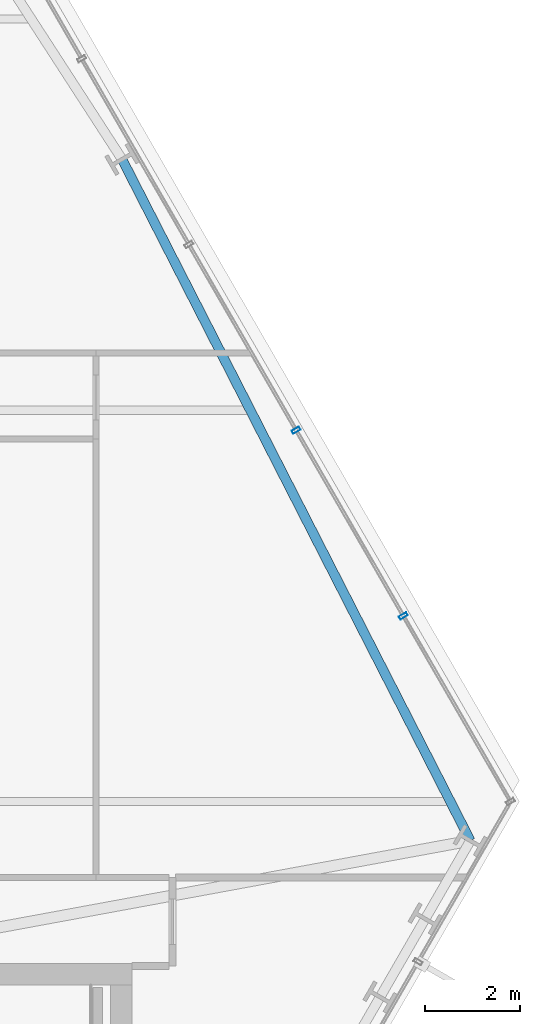
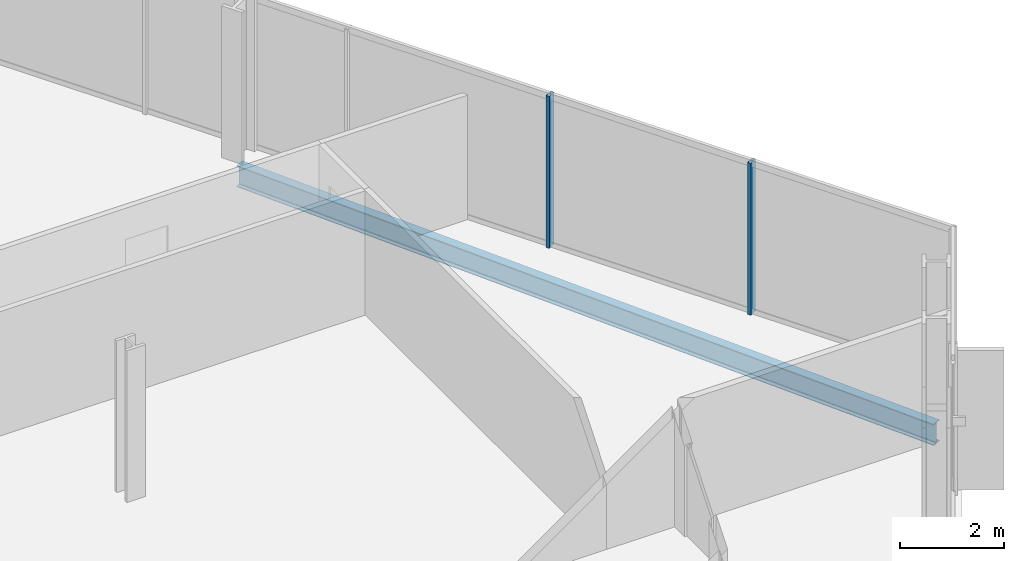
# One storey, part 18 of 32: 2 members, 1 beam, 1 element without a shape of its own.
"""IFC4 building model written with IfcOpenShell, lengths in metres."""

from ifc_helpers import new_model, si_unit, direction, frame, origin, origin_2d, place, context, subcontext, project, spatial, hollow_rectangle, i_section, extrude, material, layer, layer_set, material_profile, profile_set, type_object, element, aggregate, save


model = new_model("IFC4")

# Units and contexts
model_context = context("Model", 3, precision=1e-05, world=origin(), true_north=direction((0.0, 1.0)))
body_context = subcontext(model_context, "Body", "Model", "MODEL_VIEW")
ifc_project = project(units=[si_unit("LENGTHUNIT", "METRE"), si_unit("AREAUNIT", "SQUARE_METRE"), si_unit("VOLUMEUNIT", "CUBIC_METRE"), si_unit("PLANEANGLEUNIT", "RADIAN"), si_unit("MASSUNIT", "GRAM", prefix="KILO")], contexts=[model_context])

# Site, building, storey
site_placement = place(None, origin())
site = spatial("IfcSite", under=ifc_project, at=site_placement, CompositionType="ELEMENT")
building_placement = place(site_placement, origin())
building = spatial("IfcBuilding", under=site, at=building_placement, Name="Ndaravel Arena Tower", CompositionType="ELEMENT")
storey_placement = place(building_placement, frame((0.0, 0.0, 58.800048828125)))
storey = spatial("IfcBuildingStorey", under=building, at=storey_placement, Name="L12", CompositionType="ELEMENT", Elevation=58.800048828125)

# Beam
ifc_material_1 = material(Name="Steel S355", Category="steel")
ifc_material_profile_1 = material_profile(ifc_material_1, i_section(OverallWidth=0.199951171875, OverallDepth=0.5, WebThickness=0.01025390625, FlangeThickness=0.01611328125, FilletRadius=0.02099609375, at=origin_2d()), Name="IPE 500")
ifc_profile_set_1 = profile_set([ifc_material_profile_1], Name="Steel S355")
beam_type = type_object("IfcBeamType", Name="BM-SPAN-IPE500", PredefinedType="SPANDREL", material=ifc_profile_set_1)
beam_placement = place(storey_placement, frame((64.6484375, 17.7744140625, -0.469970703125), z_axis=(-0.455114813305, 0.890432763722, 0.0), x_axis=(-0.890432763722, -0.455114813305, 0.0)))
element("IfcBeam", 1, at=beam_placement, inside=storey, type_object=beam_type, Name="L12 Perimeter Spandrel Beam SP-09", PredefinedType="SPANDREL", context=body_context, shape_type="SweptSolid", body=[
    extrude(i_section(OverallWidth=0.199951171875, OverallDepth=0.5, WebThickness=0.01025390625, FlangeThickness=0.01611328125, FilletRadius=0.02099609375, at=origin_2d()), origin(), (0.0, 0.0, 1.0), 16.044189453125),
])

# Curtain wall, members
ifc_material_2 = material(Name="Aluminium", Category="aluminium")
ifc_layer = layer(ifc_material_2, 0.179931640625)
ifc_layer_set = layer_set([ifc_layer], Name="Aluminium")
curtain_wall_type = type_object("IfcCurtainWallType", Name="CW-SYS-03", PredefinedType="NOTDEFINED", material=ifc_layer_set)
curtain_wall_placement = place(storey_placement, origin())
curtain_wall = element("IfcCurtainWall", 2, at=curtain_wall_placement, inside=storey, type_object=curtain_wall_type, Name="L12 Faceted Crystal Curtain Wall CW-L12-E03", PredefinedType="NOTDEFINED")
ifc_material_3 = material(Name="Aluminium", Category="aluminium")
ifc_material_profile_2 = material_profile(ifc_material_3, hollow_rectangle(XDim=0.074951171875, YDim=0.179931640625, WallThickness=0.00390625, at=origin_2d()), Name="CW MULLION 75x180x4")
ifc_profile_set_2 = profile_set([ifc_material_profile_2], Name="Aluminium")
member_type = type_object("IfcMemberType", Name="MEM-CW-MUL180", PredefinedType="MULLION", material=ifc_profile_set_2)
member_1_placement = place(storey_placement, frame((63.2431640625, 22.4873046875, 0.0), z_axis=(0.0, 0.0, 1.0), x_axis=(-0.5, 0.866025403784, 0.0)))
member_1 = element("IfcMember", 3, at=member_1_placement, type_object=member_type, Name="CW-L12-E03 Mullion 01", PredefinedType="MULLION", context=body_context, shape_type="SweptSolid", body=[
    extrude(hollow_rectangle(XDim=0.074951171875, YDim=0.179931640625, WallThickness=0.00390625, at=origin_2d()), origin(), (0.0, 0.0, 1.0), 3.579833984375),
])
member_2_placement = place(storey_placement, frame((60.995361328125, 26.380859375, 0.0), z_axis=(0.0, 0.0, 1.0), x_axis=(-0.5, 0.866025403784, 0.0)))
member_2 = element("IfcMember", 4, at=member_2_placement, type_object=member_type, Name="CW-L12-E03 Mullion 02", PredefinedType="MULLION", context=body_context, shape_type="SweptSolid", body=[
    extrude(hollow_rectangle(XDim=0.074951171875, YDim=0.179931640625, WallThickness=0.00390625, at=origin_2d()), origin(), (0.0, 0.0, 1.0), 3.579833984375),
])
aggregate(curtain_wall, [member_1, member_2])

save(model, "model.ifc")
